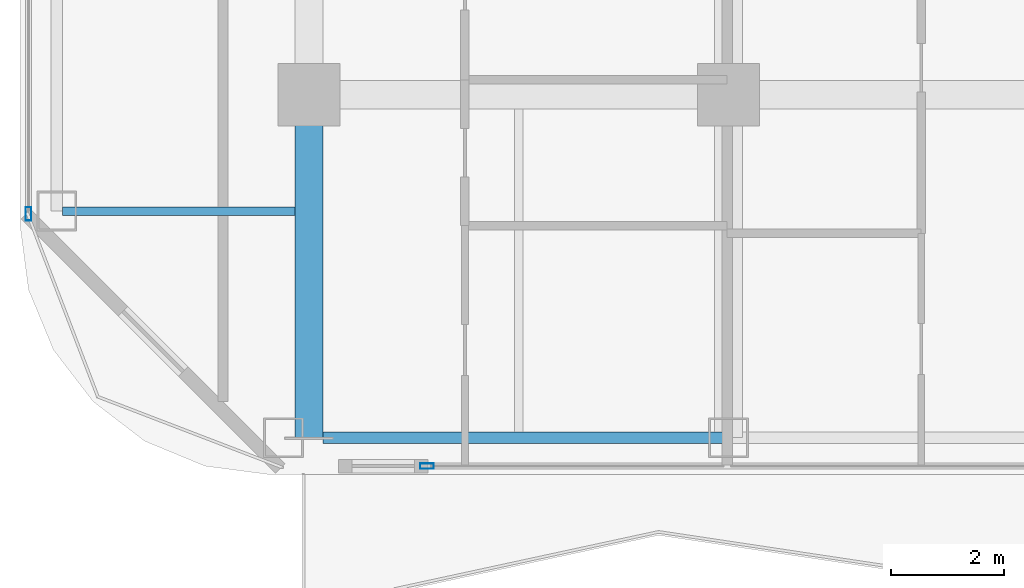
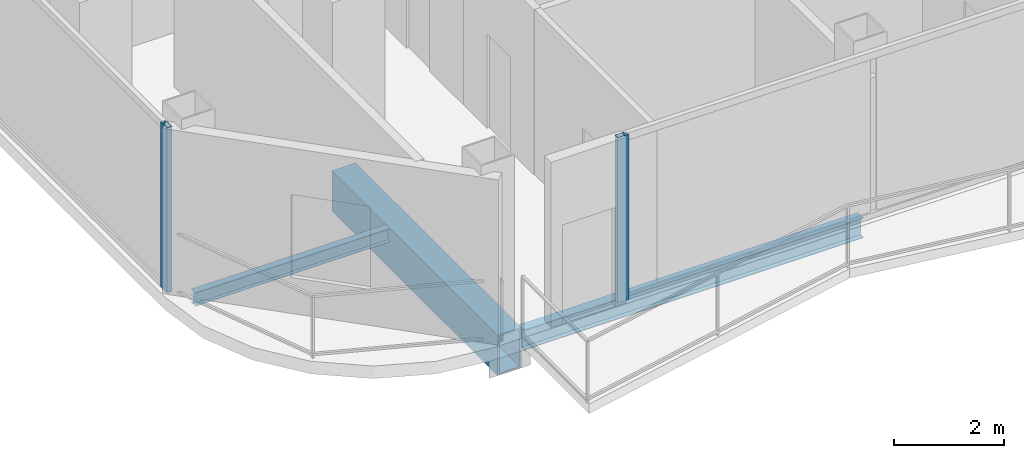
# One storey, part 2 of 29: 3 beams, 2 members, 2 elements without a shape of their own.
"""IFC4 building model written with IfcOpenShell, lengths in metres."""

from ifc_helpers import new_model, si_unit, direction, frame, origin, origin_2d, place, context, subcontext, project, spatial, hollow_rectangle, i_section, extrude, material, layer, layer_set, material_profile, profile_set, type_object, element, aggregate, save


model = new_model("IFC4")

# Units and contexts
model_context = context("Model", 3, precision=1e-05, world=origin(), true_north=direction((0.0, 1.0)))
body_context = subcontext(model_context, "Body", "Model", "MODEL_VIEW")
ifc_project = project(units=[si_unit("LENGTHUNIT", "METRE"), si_unit("AREAUNIT", "SQUARE_METRE"), si_unit("VOLUMEUNIT", "CUBIC_METRE"), si_unit("PLANEANGLEUNIT", "RADIAN"), si_unit("MASSUNIT", "GRAM", prefix="KILO")], contexts=[model_context])

# Site, building, storey
site_placement = place(None, origin())
site = spatial("IfcSite", under=ifc_project, at=site_placement, CompositionType="ELEMENT")
building_placement = place(site_placement, origin())
building = spatial("IfcBuilding", under=site, at=building_placement, Name="Khorvyn Point Tower", CompositionType="ELEMENT")
storey_placement = place(building_placement, frame((0.0, 0.0, 136.800048828125)))
storey = spatial("IfcBuildingStorey", under=building, at=storey_placement, Name="L34", CompositionType="ELEMENT", Elevation=136.800048828125)

# Curtain wall, member
ifc_material_1 = material(Name="Anodised aluminium 6063-T6 and laminated Low-E glass", Category="aluminium")
ifc_layer = layer(ifc_material_1, 0.18994140625)
ifc_layer_set = layer_set([ifc_layer], Name="Stick-Built Acoustic Curtain Wall CW-SYS-03")
curtain_wall_type = type_object("IfcCurtainWallType", Name="Stick-Built Acoustic Curtain Wall CW-SYS-03", PredefinedType="NOTDEFINED", material=ifc_layer_set)
curtain_wall_1_placement = place(storey_placement, origin())
curtain_wall_1 = element("IfcCurtainWall", 1, at=curtain_wall_1_placement, inside=storey, type_object=curtain_wall_type, Name="Curtain Wall", PredefinedType="NOTDEFINED")
ifc_material_2 = material(Name="Anodised aluminium 6063-T6", Category="aluminium")
ifc_material_profile_1 = material_profile(ifc_material_2, hollow_rectangle(XDim=0.10009765625, YDim=0.239990234375, WallThickness=0.0048828125, at=origin_2d()))
ifc_profile_set_1 = profile_set([ifc_material_profile_1], Name="Anodised aluminium 6063-T6 ALU-MUL-100x240")
member_type = type_object("IfcMemberType", Name="Anodised Aluminium 6063-T6 Mullion ALU-MUL-100x240", PredefinedType="MULLION", material=ifc_profile_set_1)
member_1_placement = place(storey_placement, frame((-12.718994140625, -23.64990234375, 0.0), z_axis=(0.0, 0.0, 1.0), x_axis=(0.0, -1.0, 0.0)))
member_1 = element("IfcMember", 2, at=member_1_placement, type_object=member_type, Name="Transom", PredefinedType="MULLION", context=body_context, shape_type="SweptSolid", body=[
    extrude(hollow_rectangle(XDim=0.10009765625, YDim=0.239990234375, WallThickness=0.0048828125, at=origin_2d()), origin(), (0.0, 0.0, 1.0), 3.679931640625),
])
aggregate(curtain_wall_1, [member_1])

curtain_wall_2_placement = place(storey_placement, origin())
curtain_wall_2 = element("IfcCurtainWall", 3, at=curtain_wall_2_placement, inside=storey, type_object=curtain_wall_type, Name="Curtain Wall", PredefinedType="NOTDEFINED")
member_2_placement = place(storey_placement, frame((-19.75, -19.199951171875, 0.0), z_axis=(0.0, 0.0, 1.0), x_axis=(-1.0, 0.0, 0.0)))
member_2 = element("IfcMember", 4, at=member_2_placement, type_object=member_type, Name="Transom", PredefinedType="MULLION", context=body_context, shape_type="SweptSolid", body=[
    extrude(hollow_rectangle(XDim=0.10009765625, YDim=0.239990234375, WallThickness=0.0048828125, at=origin_2d()), origin(), (0.0, 0.0, 1.0), 3.679931640625),
])
aggregate(curtain_wall_2, [member_2])

# Beams
ifc_material_3 = material(Name="Steel S355", Category="steel")
ifc_material_profile_2 = material_profile(ifc_material_3, i_section(OverallWidth=0.14990234375, OverallDepth=0.300048828125, WebThickness=0.006591796875, FlangeThickness=0.009033203125, at=origin_2d()))
ifc_profile_set_2 = profile_set([ifc_material_profile_2], Name="Steel S355 H300x150x6.5x9")
beam_type_1 = type_object("IfcBeamType", Name="Steel S355 Joist H300x150x6.5x9", PredefinedType="JOIST", material=ifc_profile_set_2)
beam_1_placement = place(storey_placement, frame((-19.14990234375, -19.14990234375, -0.429931640625), z_axis=(1.0, 0.0, 0.0), x_axis=(0.0, 1.0, 0.0)))
element("IfcBeam", 5, at=beam_1_placement, inside=storey, type_object=beam_type_1, Name="Beam", PredefinedType="JOIST", context=body_context, shape_type="SweptSolid", body=[
    extrude(i_section(OverallWidth=0.14990234375, OverallDepth=0.300048828125, WebThickness=0.006591796875, FlangeThickness=0.009033203125, at=origin_2d()), origin(), (0.0, 0.0, 1.0), 4.099853515625),
])
ifc_material_profile_3 = material_profile(ifc_material_3, i_section(OverallWidth=0.199951171875, OverallDepth=0.449951171875, WebThickness=0.009033203125, FlangeThickness=0.013916015625, at=origin_2d()))
ifc_profile_set_3 = profile_set([ifc_material_profile_3], Name="Steel S355 H450x200x9x14")
beam_type_2 = type_object("IfcBeamType", Name="Steel S355 Spandrel H450x200x9x14", PredefinedType="SPANDREL", material=ifc_profile_set_3)
beam_2_placement = place(storey_placement, frame((-14.550048828125, -23.14990234375, -0.505126953125), z_axis=(1.0, 0.0, 0.0), x_axis=(0.0, 1.0, 0.0)))
element("IfcBeam", 6, at=beam_2_placement, inside=storey, type_object=beam_type_2, Name="Beam", PredefinedType="SPANDREL", context=body_context, shape_type="SweptSolid", body=[
    extrude(i_section(OverallWidth=0.199951171875, OverallDepth=0.449951171875, WebThickness=0.009033203125, FlangeThickness=0.013916015625, at=origin_2d()), origin(), (0.0, 0.0, 1.0), 7.150146484375),
])
ifc_material_4 = material(Name="Steel S450", Category="steel")
ifc_material_profile_4 = material_profile(ifc_material_4, hollow_rectangle(XDim=0.5, YDim=0.89990234375, WallThickness=0.0400390625, at=origin_2d()))
ifc_profile_set_4 = profile_set([ifc_material_profile_4], Name="Steel S450 BOX900x500x40")
beam_type_3 = type_object("IfcBeamType", Name="Steel S450 Beam BOX900x500x40", PredefinedType="BEAM", material=ifc_profile_set_4)
beam_3_placement = place(storey_placement, frame((-14.800048828125, -23.14990234375, -0.72998046875), z_axis=(0.0, 1.0, 0.0), x_axis=(-1.0, 0.0, 0.0)))
element("IfcBeam", 7, at=beam_3_placement, inside=storey, type_object=beam_type_3, Name="L34 Radial Transfer Girder", PredefinedType="BEAM", context=body_context, shape_type="SweptSolid", body=[
    extrude(hollow_rectangle(XDim=0.5, YDim=0.89990234375, WallThickness=0.0400390625, at=origin_2d()), origin(), (0.0, 0.0, 1.0), 6.0498046875),
])

save(model, "model.ifc")
